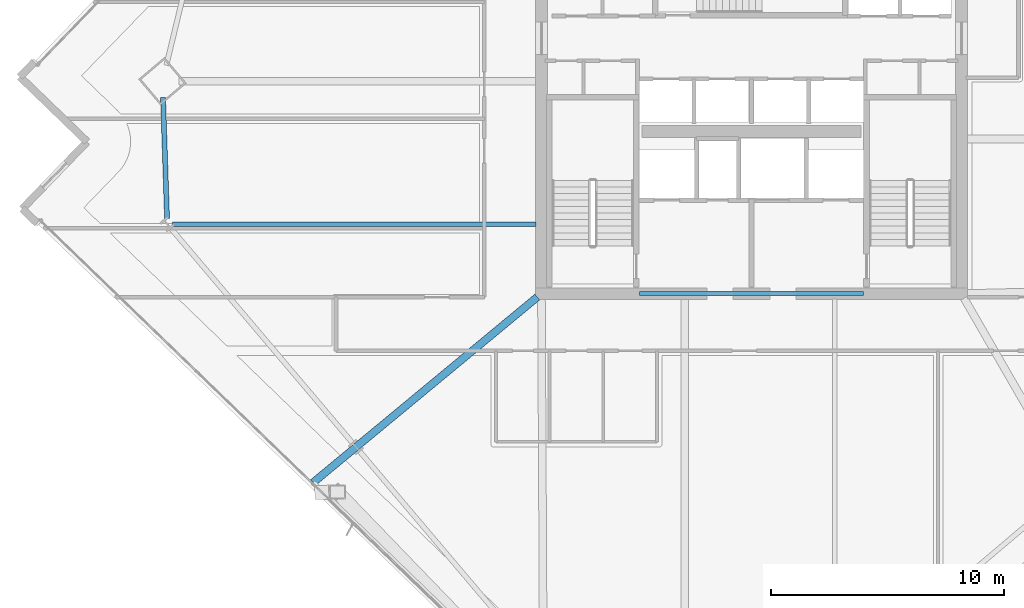
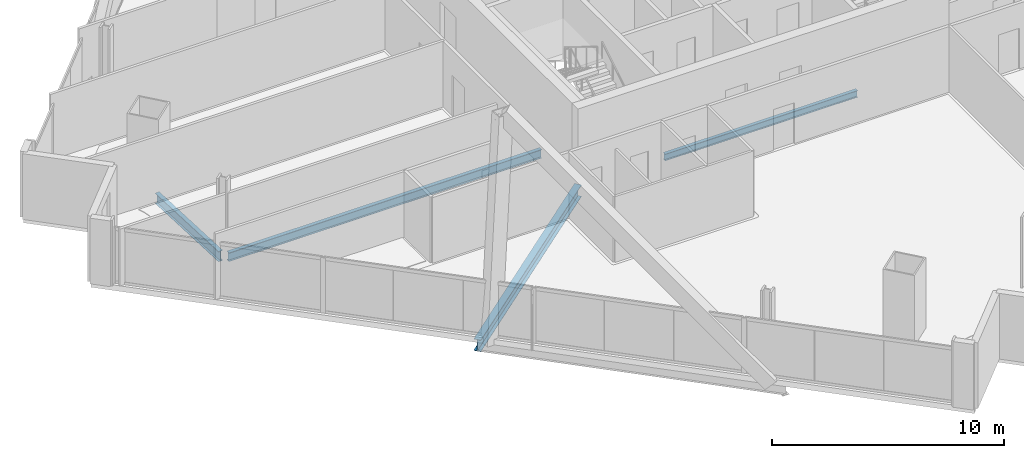
# One storey, part 6 of 33: 4 beams.
"""IFC4 building model written with IfcOpenShell, lengths in metres."""

from ifc_helpers import new_model, si_unit, direction, frame, origin, origin_2d, place, context, subcontext, project, spatial, i_section, extrude, material, material_profile, profile_set, type_object, element, save


model = new_model("IFC4")

# Units and contexts
model_context = context("Model", 3, precision=1e-05, world=origin(), true_north=direction((0.0, 1.0)))
body_context = subcontext(model_context, "Body", "Model", "MODEL_VIEW")
ifc_project = project(units=[si_unit("LENGTHUNIT", "METRE"), si_unit("AREAUNIT", "SQUARE_METRE"), si_unit("VOLUMEUNIT", "CUBIC_METRE"), si_unit("PLANEANGLEUNIT", "RADIAN"), si_unit("MASSUNIT", "GRAM", prefix="KILO")], contexts=[model_context])

# Site, building, storey
site_placement = place(None, origin())
site = spatial("IfcSite", under=ifc_project, at=site_placement, CompositionType="ELEMENT")
building_placement = place(site_placement, origin())
building = spatial("IfcBuilding", under=site, at=building_placement, Name="Haldenkirk Collegiate Tower", CompositionType="ELEMENT")
storey_placement = place(building_placement, frame((0.0, 0.0, 181.949951171875)))
storey = spatial("IfcBuildingStorey", under=building, at=storey_placement, Name="L45", CompositionType="ELEMENT", Elevation=181.949951171875)

# Beams
ifc_material = material(Name="Steel ASTM A992 Grade 50", Category="steel")
ifc_material_profile_1 = material_profile(ifc_material, i_section(OverallWidth=0.324951171875, OverallDepth=0.615966796875, WebThickness=0.013916015625, FlangeThickness=0.021484375, at=origin_2d()), Name="W24X117")
ifc_profile_set_1 = profile_set([ifc_material_profile_1], Name="Steel ASTM A992 Grade 50")
beam_type_1 = type_object("IfcBeamType", Name="BM-GIRDER-W24X117", PredefinedType="BEAM", material=ifc_profile_set_1)
beam_1_placement = place(storey_placement, frame((17.213623046875, 9.902099609375, -0.597900390625), z_axis=(0.770432446493, 0.637521643076, 0.0), x_axis=(-0.637521643076, 0.770432446493, 0.0)))
element("IfcBeam", 1, at=beam_1_placement, inside=storey, type_object=beam_type_1, Name="L45 primary floor girder 15", PredefinedType="BEAM", context=body_context, shape_type="SweptSolid", body=[
    extrude(i_section(OverallWidth=0.324951171875, OverallDepth=0.615966796875, WebThickness=0.013916015625, FlangeThickness=0.021484375, at=origin_2d()), origin(), (0.0, 0.0, 1.0), 12.472412109375),
])
ifc_material_profile_2 = material_profile(ifc_material, i_section(OverallWidth=0.18994140625, OverallDepth=0.45703125, WebThickness=0.009033203125, FlangeThickness=0.014404296875, at=origin_2d()), Name="W18X50")
ifc_profile_set_2 = profile_set([ifc_material_profile_2], Name="Steel ASTM A992 Grade 50")
beam_type_2 = type_object("IfcBeamType", Name="BM-JOIST-W18X50", PredefinedType="JOIST", material=ifc_profile_set_2)
beam_2_placement = place(storey_placement, frame((11.1923828125, 20.9833984375, -0.5185546875), z_axis=(1.0, 0.0, 0.0), x_axis=(0.0, 1.0, 0.0)))
element("IfcBeam", 2, at=beam_2_placement, inside=storey, type_object=beam_type_2, Name="L45 composite floor joist 14", PredefinedType="JOIST", context=body_context, shape_type="SweptSolid", body=[
    extrude(i_section(OverallWidth=0.18994140625, OverallDepth=0.45703125, WebThickness=0.009033203125, FlangeThickness=0.014404296875, at=origin_2d()), origin(), (0.0, 0.0, 1.0), 15.57763671875),
])
ifc_material_profile_3 = material_profile(ifc_material, i_section(OverallWidth=0.1708984375, OverallDepth=0.35595703125, WebThickness=0.007080078125, FlangeThickness=0.01171875, at=origin_2d()), Name="W14X34")
ifc_profile_set_3 = profile_set([ifc_material_profile_3], Name="Steel ASTM A992 Grade 50")
beam_type_3 = type_object("IfcBeamType", Name="BM-LINTEL-W14X34", PredefinedType="LINTEL", material=ifc_profile_set_3)
beam_3_placement = place(storey_placement, frame((31.199951171875, 18.0, -0.468017578125), z_axis=(1.0, 0.0, 0.0), x_axis=(0.0, 1.0, 0.0)))
element("IfcBeam", 3, at=beam_3_placement, inside=storey, type_object=beam_type_3, Name="L45 south core coupling lintel", PredefinedType="LINTEL", context=body_context, shape_type="SweptSolid", body=[
    extrude(i_section(OverallWidth=0.1708984375, OverallDepth=0.35595703125, WebThickness=0.007080078125, FlangeThickness=0.01171875, at=origin_2d()), origin(), (0.0, 0.0, 1.0), 9.60009765625),
])
ifc_material_profile_4 = material_profile(ifc_material, i_section(OverallWidth=0.2119140625, OverallDepth=0.5439453125, WebThickness=0.01318359375, FlangeThickness=0.021240234375, at=origin_2d()), Name="W21X83")
ifc_profile_set_4 = profile_set([ifc_material_profile_4], Name="Steel ASTM A992 Grade 50")
beam_type_4 = type_object("IfcBeamType", Name="BM-SPANDREL-W21X83", PredefinedType="SPANDREL", material=ifc_profile_set_4)
beam_4_placement = place(storey_placement, frame((10.7841796875, 26.399169921875, -0.56201171875), z_axis=(0.033072037576, -0.999452970545, 0.0), x_axis=(0.999452970545, 0.033072037576, 0.0)))
element("IfcBeam", 4, at=beam_4_placement, inside=storey, type_object=beam_type_4, Name="L45 perimeter spandrel beam 13", PredefinedType="SPANDREL", context=body_context, shape_type="SweptSolid", body=[
    extrude(i_section(OverallWidth=0.2119140625, OverallDepth=0.5439453125, WebThickness=0.01318359375, FlangeThickness=0.021240234375, at=origin_2d()), origin(), (0.0, 0.0, 1.0), 5.189697265625),
])

save(model, "model.ifc")
